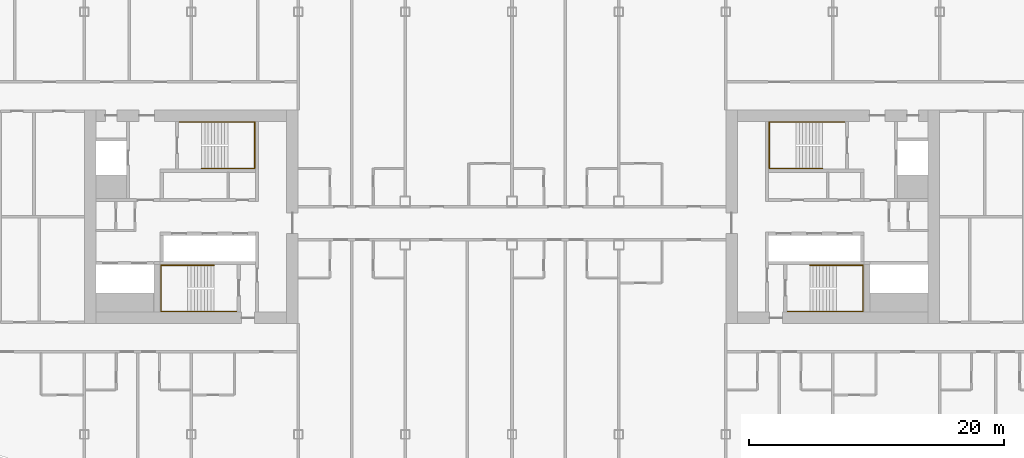
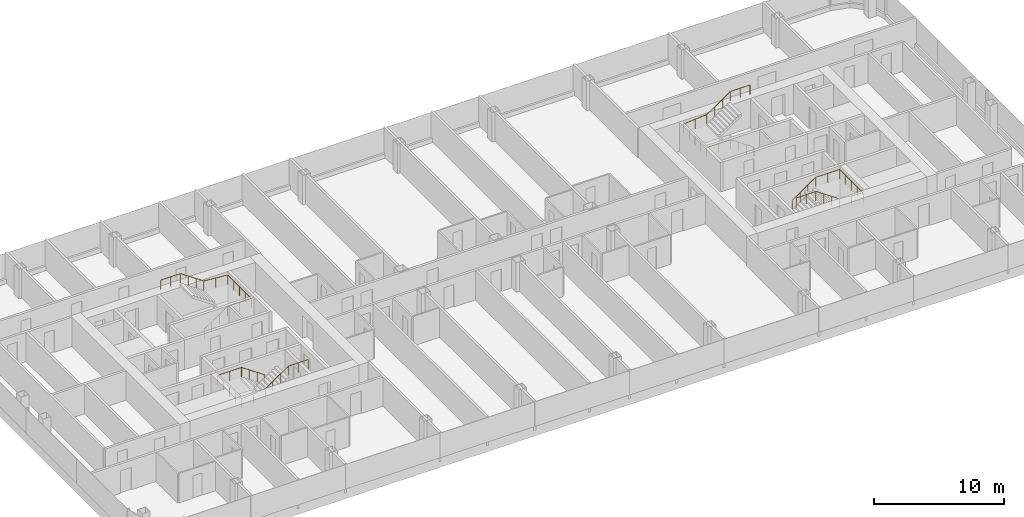
# One storey, part 26 of 26: 4 railings.
"""IFC4 building model written with IfcOpenShell, lengths in metres."""

import ifcopenshell
import ifcopenshell.guid

model = None  # the IFC model being written
_history = None  # IfcOwnerHistory: only IFC2X3 demands one
_inside = {}  # id of a spatial element -> (the spatial element, [elements in it])
_under = {}  # id of a project, library or spatial element -> (it, [spatial elements below it])
_declared = {}  # id of a project -> (the project, [libraries it declares])
_typed = {}  # id of a type object -> (the type object, [elements of that type])
_made_of = {}  # id of a material, layer set ... -> (it, [elements and type objects made of it])


def new_model(schema):
    """Start an empty IFC model of exactly this schema.

    Asked for "IFC4X3", IfcOpenShell would pick the latest addendum, in which some entities
    have other attributes; the version numbers below select the first issue.
    IFC2X3 requires an IfcOwnerHistory on every rooted entity: one is made here for all.
    """
    global model, _history
    if schema == "IFC4X3":
        model = ifcopenshell.file(schema_version=(4, 3, 0, 0))
    else:
        model = ifcopenshell.file(schema=schema)
    _inside.clear()
    _under.clear()
    _declared.clear()
    _typed.clear()
    _made_of.clear()
    _history = None
    if model.schema == "IFC2X3":
        org = make("IfcOrganization", Name="unknown")
        user = make(
            "IfcPersonAndOrganization",
            ThePerson=make("IfcPerson", FamilyName="unknown"),
            TheOrganization=org,
        )
        app = make(
            "IfcApplication",
            ApplicationDeveloper=org,
            Version="unknown",
            ApplicationFullName="unknown",
            ApplicationIdentifier="unknown",
        )
        _history = make(
            "IfcOwnerHistory",
            OwningUser=user,
            OwningApplication=app,
            ChangeAction="ADDED",
            CreationDate=0,
        )
    return model


def make(cls, **values):
    """One entity of the class cls with the attributes given. An attribute that is None is left unset."""
    return model.create_entity(
        cls, **{name: value for name, value in values.items() if value is not None}
    )


def rooted(cls, **values):
    """An entity with a GlobalId (a new one), such as an element, a storey or a relation."""
    return make(cls, GlobalId=ifcopenshell.guid.new(), OwnerHistory=_history, **values)


def si_unit(unit_type, name, prefix=None):
    """IfcSIUnit, for example si_unit("LENGTHUNIT", "METRE", prefix="MILLI")."""
    return make("IfcSIUnit", UnitType=unit_type, Prefix=prefix, Name=name)


def assignment(units):
    """IfcUnitAssignment: the units of a project."""
    return None if units is None else make("IfcUnitAssignment", Units=units)


def point(xyz):
    """IfcCartesianPoint."""
    return None if xyz is None else make("IfcCartesianPoint", Coordinates=xyz)


def direction(xyz):
    """IfcDirection."""
    return None if xyz is None else make("IfcDirection", DirectionRatios=xyz)


def frame(location, z_axis=None, x_axis=None):
    """IfcAxis2Placement3D, a coordinate frame: its origin and axes. An axis left out is left unset."""
    return make(
        "IfcAxis2Placement3D",
        Location=point(location),
        Axis=direction(z_axis),
        RefDirection=direction(x_axis),
    )


def frame_2d(location, x_axis=None):
    """IfcAxis2Placement2D, a coordinate frame in the plane: its origin and x axis."""
    return make(
        "IfcAxis2Placement2D", Location=point(location), RefDirection=direction(x_axis)
    )


def origin():
    """The frame at (0, 0, 0) with its axes left unset."""
    return frame((0.0, 0.0, 0.0))


def origin_2d():
    """The frame at (0, 0) in the plane with its x axis left unset."""
    return frame_2d((0.0, 0.0))


def place(relative_to, where):
    """IfcLocalPlacement: puts the frame where relative to a parent placement (None: the world)."""
    return make(
        "IfcLocalPlacement", PlacementRelTo=relative_to, RelativePlacement=where
    )


def context(
    kind, dimensions, precision=None, world=None, true_north=None, identifier=None
):
    """IfcGeometricRepresentationContext, for example the 3D "Model" context."""
    return make(
        "IfcGeometricRepresentationContext",
        ContextIdentifier=identifier,
        ContextType=kind,
        CoordinateSpaceDimension=dimensions,
        Precision=precision,
        WorldCoordinateSystem=world,
        TrueNorth=true_north,
    )


def subcontext(parent, identifier, kind, view, scale=None):
    """IfcGeometricRepresentationSubContext, for example "Body" below "Model"."""
    return make(
        "IfcGeometricRepresentationSubContext",
        ContextIdentifier=identifier,
        ContextType=kind,
        ParentContext=parent,
        TargetScale=scale,
        TargetView=view,
    )


def project(units=None, contexts=None):
    """IfcProject with its units and contexts."""
    return rooted(
        "IfcProject",
        Name="project",
        RepresentationContexts=contexts,
        UnitsInContext=assignment(units),
    )


def spatial(cls, under=None, at=None, **own):
    """A site, building, storey or space (cls), placed at a placement, below another one or the project."""
    s = rooted(cls, ObjectPlacement=at, **own)
    if under is not None:
        _under.setdefault(under.id(), (under, []))[1].append(s)
    return s


def profile(cls, at=None, kind="AREA", **sizes):
    """A parametric profile (cls). Its sizes go by their IFC names, for example OverallWidth=200.0."""
    return make(cls, ProfileType=kind, Position=at, **sizes)


def circle(**sizes):
    """IfcCircleProfileDef."""
    return profile("IfcCircleProfileDef", **sizes)


def extrude(swept, where, along, depth):
    """IfcExtrudedAreaSolid: the profile swept, set in the frame where, extruded along a direction by depth."""
    return make(
        "IfcExtrudedAreaSolid",
        SweptArea=swept,
        Position=where,
        ExtrudedDirection=direction(along),
        Depth=depth,
    )


def shape(context_of_items, identifier, shape_type, items):
    """IfcShapeRepresentation: the items that make up one representation, for example the "Body"."""
    return make(
        "IfcShapeRepresentation",
        ContextOfItems=context_of_items,
        RepresentationIdentifier=identifier,
        RepresentationType=shape_type,
        Items=items,
    )


def material(Name=None, Category=None):
    """IfcMaterial."""
    return make("IfcMaterial", Name=Name, Category=Category)


def made_of(thing, what):
    """Note that an element or type object is made of a material, layer set ...; save() writes the relation."""
    if what is not None:
        _made_of.setdefault(what.id(), (what, []))[1].append(thing)
    return thing


def type_object(cls, material=None, **own):
    """A type object (cls), such as IfcWallType, which elements share."""
    return made_of(rooted(cls, **own), material)


def element(
    cls,
    number,
    at=None,
    inside=None,
    cuts=None,
    type_object=None,
    material=None,
    context=None,
    identifier="Body",
    shape_type=None,
    held_by="IfcProductDefinitionShape",
    body=None,
    shapes=None,
    **own,
):
    """One element of the class cls, such as IfcWall. Its Tag is "e" and its number.

    at: its placement. inside: the storey or other place that contains it. cuts: it is an
    opening in that element (IfcRelVoidsElement). A single representation is given by context,
    identifier, shape_type and body (its items); several are given by shapes. held_by: the class
    of the entity that holds the representations. save() writes the other relations.
    """
    e = rooted(cls, Tag="e%d" % number, ObjectPlacement=at, **own)
    if body is not None:
        shapes = [shape(context, identifier, shape_type, body)]
    if shapes is not None:
        e.Representation = make(held_by, Representations=shapes)
    if inside is not None:
        _inside.setdefault(inside.id(), (inside, []))[1].append(e)
    if cuts is not None:
        rooted(
            "IfcRelVoidsElement", RelatingBuildingElement=cuts, RelatedOpeningElement=e
        )
    if type_object is not None:
        _typed.setdefault(type_object.id(), (type_object, []))[1].append(e)
    return made_of(e, material)


def aggregate(whole, parts):
    """IfcRelAggregates: a whole, such as a stair, and the parts it consists of."""
    return rooted("IfcRelAggregates", RelatingObject=whole, RelatedObjects=parts)


def save(model, path):
    """Write the relations noted so far, then the file.

    IfcRelAggregates (storeys below a building ...), IfcRelContainedInSpatialStructure (elements
    in a storey), IfcRelDefinesByType, IfcRelAssociatesMaterial and IfcRelDeclares: one each for
    every whole, place, type object, material and project.
    """
    for whole, parts in _under.values():
        aggregate(whole, parts)
    for where, things in _inside.values():
        rooted(
            "IfcRelContainedInSpatialStructure",
            RelatedElements=things,
            RelatingStructure=where,
        )
    for kind, things in _typed.values():
        rooted("IfcRelDefinesByType", RelatedObjects=things, RelatingType=kind)
    for what, things in _made_of.values():
        rooted("IfcRelAssociatesMaterial", RelatedObjects=things, RelatingMaterial=what)
    for by, libraries in _declared.values():
        rooted("IfcRelDeclares", RelatingContext=by, RelatedDefinitions=libraries)
    model.write(path)


model = new_model("IFC4")

# Units and contexts
model_context = context("Model", 3, precision=1e-05, world=origin(), true_north=direction((0.0, 1.0)))
body_context = subcontext(model_context, "Body", "Model", "MODEL_VIEW")
ifc_project = project(units=[si_unit("LENGTHUNIT", "METRE"), si_unit("AREAUNIT", "SQUARE_METRE"), si_unit("VOLUMEUNIT", "CUBIC_METRE"), si_unit("PLANEANGLEUNIT", "RADIAN"), si_unit("MASSUNIT", "GRAM", prefix="KILO")], contexts=[model_context])

# Site, building, storey
site_placement = place(None, origin())
site = spatial("IfcSite", under=ifc_project, at=site_placement, CompositionType="ELEMENT")
building_placement = place(site_placement, origin())
building = spatial("IfcBuilding", under=site, at=building_placement, Name="Hakoniwa Tower and Hamabe Station Hall", CompositionType="ELEMENT")
storey_placement = place(building_placement, frame((0.0, 0.0, 156.60009765625)))
storey = spatial("IfcBuildingStorey", under=building, at=storey_placement, Name="L44", CompositionType="ELEMENT", Elevation=156.60009765625)

# Railings
ifc_material = material(Name="Stainless steel SUS304", Category="steel")
railing_type = type_object("IfcRailingType", Name="STAIR HANDRAIL 900", PredefinedType="HANDRAIL", material=ifc_material)
railing_1_placement = place(storey_placement, frame((-24.39990234375, 3.81005859375, 0.177734375)))
element("IfcRailing", 1, at=railing_1_placement, inside=storey, type_object=railing_type, Name="Handrail ST-1 L44 1", PredefinedType="HANDRAIL", context=body_context, shape_type="SweptSolid", body=[
    extrude(circle(Radius=0.02392578125, at=origin_2d()), frame((0.0, 0.0, 0.8759765625), z_axis=(0.825478349766, 0.0, 0.564433781827), x_axis=(0.0, 1.0, 0.0)), (0.0, 0.0, 1.0), 2.51953125),
    extrude(circle(Radius=0.02392578125, at=origin_2d()), frame((2.079833984375, 0.0, 2.2978515625), z_axis=(1.0, 0.0, 0.0), x_axis=(0.0, 1.0, 0.0)), (0.0, 0.0, 1.0), 2.110107421875),
    extrude(circle(Radius=0.02392578125, at=origin_2d()), frame((4.18994140625, 0.0, 2.2978515625), z_axis=(0.0, 1.0, 0.0), x_axis=(-1.0, 0.0, 0.0)), (0.0, 0.0, 1.0), 3.6298828125),
    extrude(circle(Radius=0.02392578125, at=origin_2d()), frame((4.18994140625, 3.6298828125, 2.2978515625), z_axis=(-0.996471417081, 0.0, 0.083932800143), x_axis=(0.0, -1.0, 0.0)), (0.0, 0.0, 1.0), 2.11767578125),
    extrude(circle(Radius=0.02392578125, at=origin_2d()), frame((2.079833984375, 3.6298828125, 2.4755859375), z_axis=(-0.825433201882, 0.0, 0.564499804456), x_axis=(0.0, -1.0, 0.0)), (0.0, 0.0, 1.0), 2.519775390625),
    extrude(circle(Radius=0.02392578125, at=origin_2d()), frame((0.0, 3.6298828125, 3.89794921875), z_axis=(-1.0, 0.0, 0.0), x_axis=(0.0, -1.0, 0.0)), (0.0, 0.0, 1.0), 1.739990234375),
    extrude(circle(Radius=0.02099609375, at=origin_2d()), origin(), (0.0, 0.0, 1.0), 0.851806640625),
    extrude(circle(Radius=0.02099609375, at=origin_2d()), frame((0.693359375, 0.0, 0.47412109375)), (0.0, 0.0, 1.0), 0.851806640625),
    extrude(circle(Radius=0.02099609375, at=origin_2d()), frame((1.386474609375, 0.0, 0.947998046875)), (0.0, 0.0, 1.0), 0.851806640625),
    extrude(circle(Radius=0.02099609375, at=origin_2d()), frame((2.079833984375, 0.0, 1.422119140625)), (0.0, 0.0, 1.0), 0.851806640625),
    extrude(circle(Radius=0.02099609375, at=origin_2d()), frame((3.134765625, 0.0, 1.422119140625)), (0.0, 0.0, 1.0), 0.851806640625),
    extrude(circle(Radius=0.02099609375, at=origin_2d()), frame((4.18994140625, 0.0, 1.422119140625)), (0.0, 0.0, 1.0), 0.851806640625),
    extrude(circle(Radius=0.02099609375, at=origin_2d()), frame((4.18994140625, 0.907470703125, 1.422119140625)), (0.0, 0.0, 1.0), 0.851806640625),
    extrude(circle(Radius=0.02099609375, at=origin_2d()), frame((4.18994140625, 1.81494140625, 1.422119140625)), (0.0, 0.0, 1.0), 0.851806640625),
    extrude(circle(Radius=0.02099609375, at=origin_2d()), frame((4.18994140625, 2.722412109375, 1.422119140625)), (0.0, 0.0, 1.0), 0.851806640625),
    extrude(circle(Radius=0.02099609375, at=origin_2d()), frame((4.18994140625, 3.6298828125, 1.422119140625)), (0.0, 0.0, 1.0), 0.851806640625),
    extrude(circle(Radius=0.02099609375, at=origin_2d()), frame((3.134765625, 3.6298828125, 1.510986328125)), (0.0, 0.0, 1.0), 0.851806640625),
    extrude(circle(Radius=0.02099609375, at=origin_2d()), frame((2.079833984375, 3.6298828125, 1.599853515625)), (0.0, 0.0, 1.0), 0.851806640625),
    extrude(circle(Radius=0.02099609375, at=origin_2d()), frame((1.386474609375, 3.6298828125, 2.073974609375)), (0.0, 0.0, 1.0), 0.851806640625),
    extrude(circle(Radius=0.02099609375, at=origin_2d()), frame((0.693359375, 3.6298828125, 2.548095703125)), (0.0, 0.0, 1.0), 0.851806640625),
    extrude(circle(Radius=0.02099609375, at=origin_2d()), frame((0.0, 3.6298828125, 3.022216796875)), (0.0, 0.0, 1.0), 0.851806640625),
    extrude(circle(Radius=0.02099609375, at=origin_2d()), frame((-0.8701171875, 3.6298828125, 3.022216796875)), (0.0, 0.0, 1.0), 0.851806640625),
    extrude(circle(Radius=0.02099609375, at=origin_2d()), frame((-1.739990234375, 3.6298828125, 3.022216796875)), (0.0, 0.0, 1.0), 0.851806640625),
])
railing_2_placement = place(storey_placement, frame((-23.39990234375, -3.81005859375, 0.177734375)))
element("IfcRailing", 2, at=railing_2_placement, inside=storey, type_object=railing_type, Name="Handrail ST-2 L44 1", PredefinedType="HANDRAIL", context=body_context, shape_type="SweptSolid", body=[
    extrude(circle(Radius=0.02392578125, at=origin_2d()), frame((0.0, 0.0, 0.8759765625), z_axis=(-0.82550921652, 0.0, 0.564388636881), x_axis=(0.0, -1.0, 0.0)), (0.0, 0.0, 1.0), 2.519775390625),
    extrude(circle(Radius=0.02392578125, at=origin_2d()), frame((-2.080078125, 0.0, 2.2978515625), z_axis=(-1.0, 0.0, 0.0), x_axis=(0.0, -1.0, 0.0)), (0.0, 0.0, 1.0), 2.110107421875),
    extrude(circle(Radius=0.02392578125, at=origin_2d()), frame((-4.190185546875, 0.0, 2.2978515625), z_axis=(0.0, -1.0, 0.0), x_axis=(1.0, 0.0, 0.0)), (0.0, 0.0, 1.0), 3.6298828125),
    extrude(circle(Radius=0.02392578125, at=origin_2d()), frame((-4.190185546875, -3.6298828125, 2.2978515625), z_axis=(0.996471417081, 0.0, 0.083932800143), x_axis=(0.0, 1.0, 0.0)), (0.0, 0.0, 1.0), 2.11767578125),
    extrude(circle(Radius=0.02392578125, at=origin_2d()), frame((-2.080078125, -3.6298828125, 2.4755859375), z_axis=(0.825464074169, 0.0, 0.564454659168), x_axis=(0.0, 1.0, 0.0)), (0.0, 0.0, 1.0), 2.519775390625),
    extrude(circle(Radius=0.02392578125, at=origin_2d()), frame((0.0, -3.6298828125, 3.89794921875), z_axis=(1.0, 0.0, 0.0), x_axis=(0.0, 1.0, 0.0)), (0.0, 0.0, 1.0), 1.739990234375),
    extrude(circle(Radius=0.02099609375, at=origin_2d()), origin(), (0.0, 0.0, 1.0), 0.851806640625),
    extrude(circle(Radius=0.02099609375, at=origin_2d()), frame((-0.693359375, 0.0, 0.47412109375)), (0.0, 0.0, 1.0), 0.851806640625),
    extrude(circle(Radius=0.02099609375, at=origin_2d()), frame((-1.38671875, 0.0, 0.947998046875)), (0.0, 0.0, 1.0), 0.851806640625),
    extrude(circle(Radius=0.02099609375, at=origin_2d()), frame((-2.080078125, 0.0, 1.422119140625)), (0.0, 0.0, 1.0), 0.851806640625),
    extrude(circle(Radius=0.02099609375, at=origin_2d()), frame((-3.13525390625, 0.0, 1.422119140625)), (0.0, 0.0, 1.0), 0.851806640625),
    extrude(circle(Radius=0.02099609375, at=origin_2d()), frame((-4.190185546875, 0.0, 1.422119140625)), (0.0, 0.0, 1.0), 0.851806640625),
    extrude(circle(Radius=0.02099609375, at=origin_2d()), frame((-4.190185546875, -0.907470703125, 1.422119140625)), (0.0, 0.0, 1.0), 0.851806640625),
    extrude(circle(Radius=0.02099609375, at=origin_2d()), frame((-4.190185546875, -1.81494140625, 1.422119140625)), (0.0, 0.0, 1.0), 0.851806640625),
    extrude(circle(Radius=0.02099609375, at=origin_2d()), frame((-4.190185546875, -2.722412109375, 1.422119140625)), (0.0, 0.0, 1.0), 0.851806640625),
    extrude(circle(Radius=0.02099609375, at=origin_2d()), frame((-4.190185546875, -3.6298828125, 1.422119140625)), (0.0, 0.0, 1.0), 0.851806640625),
    extrude(circle(Radius=0.02099609375, at=origin_2d()), frame((-3.13525390625, -3.6298828125, 1.510986328125)), (0.0, 0.0, 1.0), 0.851806640625),
    extrude(circle(Radius=0.02099609375, at=origin_2d()), frame((-2.080078125, -3.6298828125, 1.599853515625)), (0.0, 0.0, 1.0), 0.851806640625),
    extrude(circle(Radius=0.02099609375, at=origin_2d()), frame((-1.38671875, -3.6298828125, 2.073974609375)), (0.0, 0.0, 1.0), 0.851806640625),
    extrude(circle(Radius=0.02099609375, at=origin_2d()), frame((-0.693359375, -3.6298828125, 2.548095703125)), (0.0, 0.0, 1.0), 0.851806640625),
    extrude(circle(Radius=0.02099609375, at=origin_2d()), frame((0.0, -3.6298828125, 3.022216796875)), (0.0, 0.0, 1.0), 0.851806640625),
    extrude(circle(Radius=0.02099609375, at=origin_2d()), frame((0.8701171875, -3.6298828125, 3.022216796875)), (0.0, 0.0, 1.0), 0.851806640625),
    extrude(circle(Radius=0.02099609375, at=origin_2d()), frame((1.739990234375, -3.6298828125, 3.022216796875)), (0.0, 0.0, 1.0), 0.851806640625),
])
railing_3_placement = place(storey_placement, frame((24.39990234375, 3.81005859375, 0.177734375)))
element("IfcRailing", 3, at=railing_3_placement, inside=storey, type_object=railing_type, Name="Handrail ST-3 L44 1", PredefinedType="HANDRAIL", context=body_context, shape_type="SweptSolid", body=[
    extrude(circle(Radius=0.02392578125, at=origin_2d()), frame((0.0, 0.0, 0.8759765625), z_axis=(-0.825478349766, 0.0, 0.564433781827), x_axis=(0.0, -1.0, 0.0)), (0.0, 0.0, 1.0), 2.51953125),
    extrude(circle(Radius=0.02392578125, at=origin_2d()), frame((-2.079833984375, 0.0, 2.2978515625), z_axis=(-1.0, 0.0, 0.0), x_axis=(0.0, -1.0, 0.0)), (0.0, 0.0, 1.0), 2.110107421875),
    extrude(circle(Radius=0.02392578125, at=origin_2d()), frame((-4.18994140625, 0.0, 2.2978515625), z_axis=(0.0, 1.0, 0.0), x_axis=(-1.0, 0.0, 0.0)), (0.0, 0.0, 1.0), 3.6298828125),
    extrude(circle(Radius=0.02392578125, at=origin_2d()), frame((-4.18994140625, 3.6298828125, 2.2978515625), z_axis=(0.996471417081, 0.0, 0.083932800143), x_axis=(0.0, 1.0, 0.0)), (0.0, 0.0, 1.0), 2.11767578125),
    extrude(circle(Radius=0.02392578125, at=origin_2d()), frame((-2.079833984375, 3.6298828125, 2.4755859375), z_axis=(0.825433201882, 0.0, 0.564499804456), x_axis=(0.0, 1.0, 0.0)), (0.0, 0.0, 1.0), 2.519775390625),
    extrude(circle(Radius=0.02392578125, at=origin_2d()), frame((0.0, 3.6298828125, 3.89794921875), z_axis=(1.0, 0.0, 0.0), x_axis=(0.0, 1.0, 0.0)), (0.0, 0.0, 1.0), 1.739990234375),
    extrude(circle(Radius=0.02099609375, at=origin_2d()), origin(), (0.0, 0.0, 1.0), 0.851806640625),
    extrude(circle(Radius=0.02099609375, at=origin_2d()), frame((-0.693359375, 0.0, 0.47412109375)), (0.0, 0.0, 1.0), 0.851806640625),
    extrude(circle(Radius=0.02099609375, at=origin_2d()), frame((-1.386474609375, 0.0, 0.947998046875)), (0.0, 0.0, 1.0), 0.851806640625),
    extrude(circle(Radius=0.02099609375, at=origin_2d()), frame((-2.079833984375, 0.0, 1.422119140625)), (0.0, 0.0, 1.0), 0.851806640625),
    extrude(circle(Radius=0.02099609375, at=origin_2d()), frame((-3.134765625, 0.0, 1.422119140625)), (0.0, 0.0, 1.0), 0.851806640625),
    extrude(circle(Radius=0.02099609375, at=origin_2d()), frame((-4.18994140625, 0.0, 1.422119140625)), (0.0, 0.0, 1.0), 0.851806640625),
    extrude(circle(Radius=0.02099609375, at=origin_2d()), frame((-4.18994140625, 0.907470703125, 1.422119140625)), (0.0, 0.0, 1.0), 0.851806640625),
    extrude(circle(Radius=0.02099609375, at=origin_2d()), frame((-4.18994140625, 1.81494140625, 1.422119140625)), (0.0, 0.0, 1.0), 0.851806640625),
    extrude(circle(Radius=0.02099609375, at=origin_2d()), frame((-4.18994140625, 2.722412109375, 1.422119140625)), (0.0, 0.0, 1.0), 0.851806640625),
    extrude(circle(Radius=0.02099609375, at=origin_2d()), frame((-4.18994140625, 3.6298828125, 1.422119140625)), (0.0, 0.0, 1.0), 0.851806640625),
    extrude(circle(Radius=0.02099609375, at=origin_2d()), frame((-3.134765625, 3.6298828125, 1.510986328125)), (0.0, 0.0, 1.0), 0.851806640625),
    extrude(circle(Radius=0.02099609375, at=origin_2d()), frame((-2.079833984375, 3.6298828125, 1.599853515625)), (0.0, 0.0, 1.0), 0.851806640625),
    extrude(circle(Radius=0.02099609375, at=origin_2d()), frame((-1.386474609375, 3.6298828125, 2.073974609375)), (0.0, 0.0, 1.0), 0.851806640625),
    extrude(circle(Radius=0.02099609375, at=origin_2d()), frame((-0.693359375, 3.6298828125, 2.548095703125)), (0.0, 0.0, 1.0), 0.851806640625),
    extrude(circle(Radius=0.02099609375, at=origin_2d()), frame((0.0, 3.6298828125, 3.022216796875)), (0.0, 0.0, 1.0), 0.851806640625),
    extrude(circle(Radius=0.02099609375, at=origin_2d()), frame((0.8701171875, 3.6298828125, 3.022216796875)), (0.0, 0.0, 1.0), 0.851806640625),
    extrude(circle(Radius=0.02099609375, at=origin_2d()), frame((1.739990234375, 3.6298828125, 3.022216796875)), (0.0, 0.0, 1.0), 0.851806640625),
])
railing_4_placement = place(storey_placement, frame((23.39990234375, -3.81005859375, 0.177734375)))
element("IfcRailing", 4, at=railing_4_placement, inside=storey, type_object=railing_type, Name="Handrail ST-4 L44 1", PredefinedType="HANDRAIL", context=body_context, shape_type="SweptSolid", body=[
    extrude(circle(Radius=0.02392578125, at=origin_2d()), frame((0.0, 0.0, 0.8759765625), z_axis=(0.82550921652, 0.0, 0.564388636881), x_axis=(0.0, 1.0, 0.0)), (0.0, 0.0, 1.0), 2.519775390625),
    extrude(circle(Radius=0.02392578125, at=origin_2d()), frame((2.080078125, 0.0, 2.2978515625), z_axis=(1.0, 0.0, 0.0), x_axis=(0.0, 1.0, 0.0)), (0.0, 0.0, 1.0), 2.110107421875),
    extrude(circle(Radius=0.02392578125, at=origin_2d()), frame((4.190185546875, 0.0, 2.2978515625), z_axis=(0.0, -1.0, 0.0), x_axis=(1.0, 0.0, 0.0)), (0.0, 0.0, 1.0), 3.6298828125),
    extrude(circle(Radius=0.02392578125, at=origin_2d()), frame((4.190185546875, -3.6298828125, 2.2978515625), z_axis=(-0.996471417081, 0.0, 0.083932800143), x_axis=(0.0, -1.0, 0.0)), (0.0, 0.0, 1.0), 2.11767578125),
    extrude(circle(Radius=0.02392578125, at=origin_2d()), frame((2.080078125, -3.6298828125, 2.4755859375), z_axis=(-0.825464074169, 0.0, 0.564454659168), x_axis=(0.0, -1.0, 0.0)), (0.0, 0.0, 1.0), 2.519775390625),
    extrude(circle(Radius=0.02392578125, at=origin_2d()), frame((0.0, -3.6298828125, 3.89794921875), z_axis=(-1.0, 0.0, 0.0), x_axis=(0.0, -1.0, 0.0)), (0.0, 0.0, 1.0), 1.739990234375),
    extrude(circle(Radius=0.02099609375, at=origin_2d()), origin(), (0.0, 0.0, 1.0), 0.851806640625),
    extrude(circle(Radius=0.02099609375, at=origin_2d()), frame((0.693359375, 0.0, 0.47412109375)), (0.0, 0.0, 1.0), 0.851806640625),
    extrude(circle(Radius=0.02099609375, at=origin_2d()), frame((1.38671875, 0.0, 0.947998046875)), (0.0, 0.0, 1.0), 0.851806640625),
    extrude(circle(Radius=0.02099609375, at=origin_2d()), frame((2.080078125, 0.0, 1.422119140625)), (0.0, 0.0, 1.0), 0.851806640625),
    extrude(circle(Radius=0.02099609375, at=origin_2d()), frame((3.13525390625, 0.0, 1.422119140625)), (0.0, 0.0, 1.0), 0.851806640625),
    extrude(circle(Radius=0.02099609375, at=origin_2d()), frame((4.190185546875, 0.0, 1.422119140625)), (0.0, 0.0, 1.0), 0.851806640625),
    extrude(circle(Radius=0.02099609375, at=origin_2d()), frame((4.190185546875, -0.907470703125, 1.422119140625)), (0.0, 0.0, 1.0), 0.851806640625),
    extrude(circle(Radius=0.02099609375, at=origin_2d()), frame((4.190185546875, -1.81494140625, 1.422119140625)), (0.0, 0.0, 1.0), 0.851806640625),
    extrude(circle(Radius=0.02099609375, at=origin_2d()), frame((4.190185546875, -2.722412109375, 1.422119140625)), (0.0, 0.0, 1.0), 0.851806640625),
    extrude(circle(Radius=0.02099609375, at=origin_2d()), frame((4.190185546875, -3.6298828125, 1.422119140625)), (0.0, 0.0, 1.0), 0.851806640625),
    extrude(circle(Radius=0.02099609375, at=origin_2d()), frame((3.13525390625, -3.6298828125, 1.510986328125)), (0.0, 0.0, 1.0), 0.851806640625),
    extrude(circle(Radius=0.02099609375, at=origin_2d()), frame((2.080078125, -3.6298828125, 1.599853515625)), (0.0, 0.0, 1.0), 0.851806640625),
    extrude(circle(Radius=0.02099609375, at=origin_2d()), frame((1.38671875, -3.6298828125, 2.073974609375)), (0.0, 0.0, 1.0), 0.851806640625),
    extrude(circle(Radius=0.02099609375, at=origin_2d()), frame((0.693359375, -3.6298828125, 2.548095703125)), (0.0, 0.0, 1.0), 0.851806640625),
    extrude(circle(Radius=0.02099609375, at=origin_2d()), frame((0.0, -3.6298828125, 3.022216796875)), (0.0, 0.0, 1.0), 0.851806640625),
    extrude(circle(Radius=0.02099609375, at=origin_2d()), frame((-0.8701171875, -3.6298828125, 3.022216796875)), (0.0, 0.0, 1.0), 0.851806640625),
    extrude(circle(Radius=0.02099609375, at=origin_2d()), frame((-1.739990234375, -3.6298828125, 3.022216796875)), (0.0, 0.0, 1.0), 0.851806640625),
])

save(model, "model.ifc")
